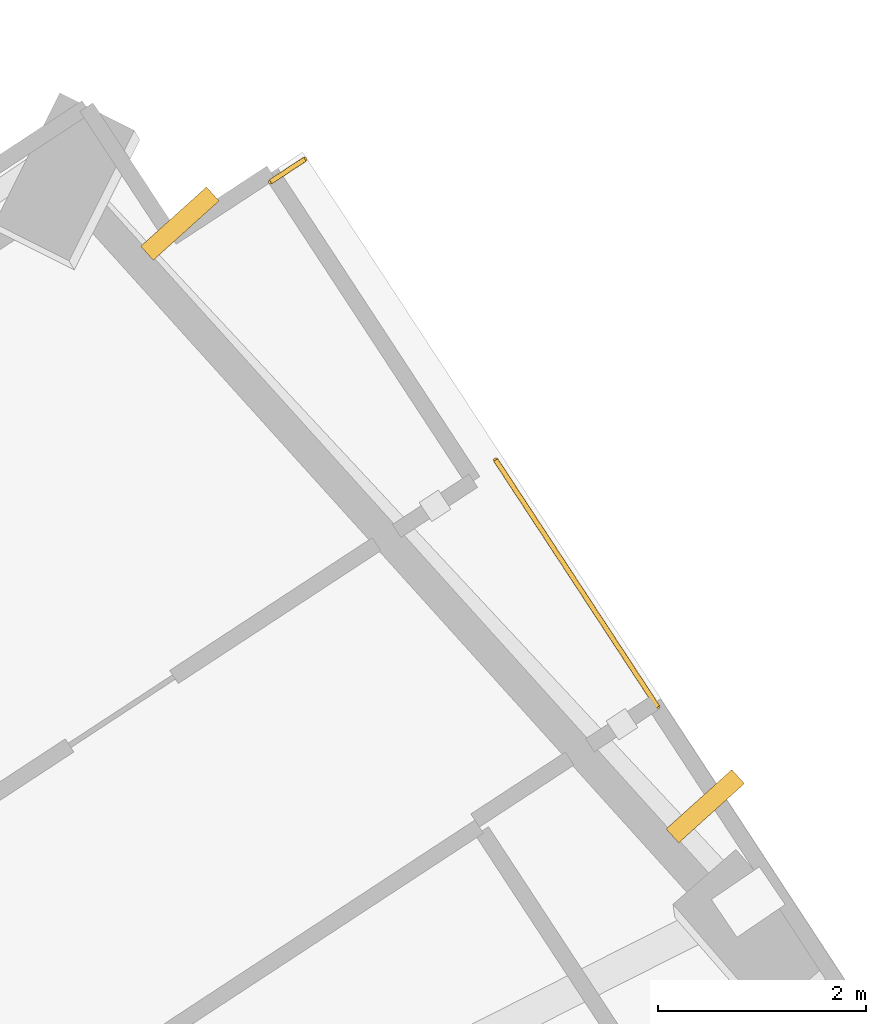
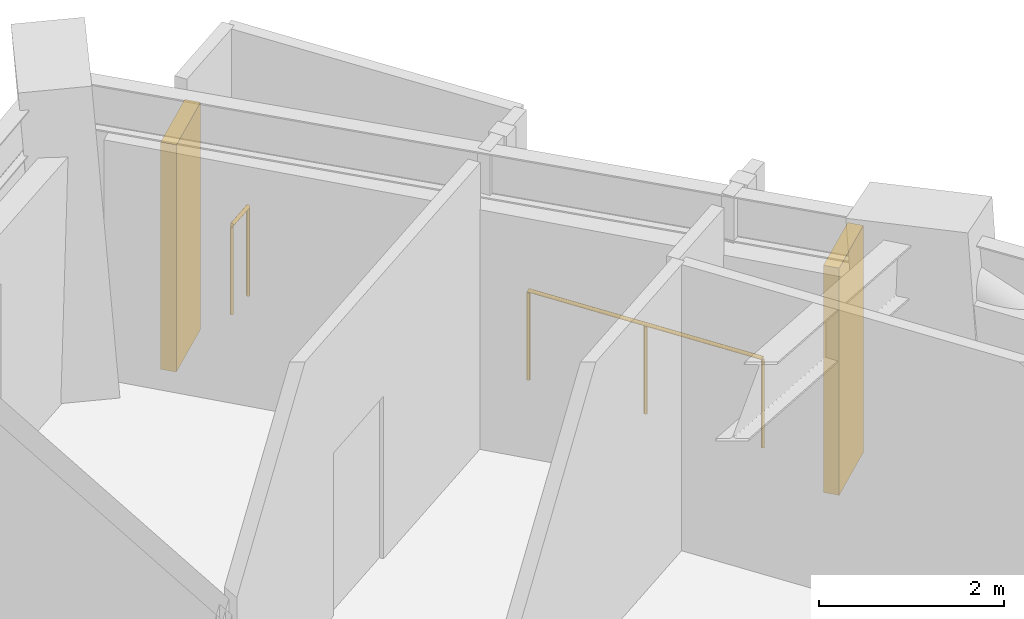
# One storey, part 14 of 14: 2 railings, 2 shading devices.
"""IFC4 building model written with IfcOpenShell, lengths in metres."""

from ifc_helpers import new_model, si_unit, direction, frame, origin, origin_2d, place, context, subcontext, project, spatial, rectangle, circle, extrude, material, layer, layer_set, type_object, element, save


model = new_model("IFC4")

# Units and contexts
model_context = context("Model", 3, precision=1e-05, world=origin(), true_north=direction((0.0, 1.0)))
body_context = subcontext(model_context, "Body", "Model", "MODEL_VIEW")
ifc_project = project(units=[si_unit("LENGTHUNIT", "METRE"), si_unit("AREAUNIT", "SQUARE_METRE"), si_unit("VOLUMEUNIT", "CUBIC_METRE"), si_unit("PLANEANGLEUNIT", "RADIAN"), si_unit("MASSUNIT", "GRAM", prefix="KILO")], contexts=[model_context])

# Site, building, storey
site_placement = place(None, origin())
site = spatial("IfcSite", under=ifc_project, at=site_placement, CompositionType="ELEMENT")
building_placement = place(site_placement, origin())
building = spatial("IfcBuilding", under=site, at=building_placement, Name="Gaonmaruhae Medical Tower", CompositionType="ELEMENT")
storey_placement = place(building_placement, frame((0.0, 0.0, 165.800048828125)))
storey = spatial("IfcBuildingStorey", under=building, at=storey_placement, Name="L39", CompositionType="ELEMENT", Elevation=165.800048828125)

# Railings
ifc_material_1 = material(Name="Stainless steel 316L and laminated safety glass", Category="steel")
ifc_layer = layer(ifc_material_1, 0.080078125)
ifc_layer_set = layer_set([ifc_layer], Name="Stainless steel 316L and laminated safety glass")
railing_type = type_object("IfcRailingType", Name="GD-120 Outdoor Terrace Safety Glass & Steel Balustrade", PredefinedType="BALUSTRADE", material=ifc_layer_set)
railing_1_placement = place(storey_placement, frame((53.95556640625, 35.311767578125, 0.0)))
element("IfcRailing", 1, at=railing_1_placement, inside=storey, type_object=railing_type, Name="L39 Perimeter Slab Edge Safety Balustrade 01", PredefinedType="BALUSTRADE", context=body_context, shape_type="SweptSolid", body=[
    extrude(circle(Radius=0.02392578125, at=origin_2d()), frame((0.0, 0.0, 1.17578125), z_axis=(0.836510171877, 0.54795139597, 0.0), x_axis=(-0.54795139597, 0.836510171877, 0.0)), (0.0, 0.0, 1.0), 0.393310546875),
    extrude(circle(Radius=0.02099609375, at=origin_2d()), origin(), (0.0, 0.0, 1.0), 1.15185546875),
    extrude(circle(Radius=0.02099609375, at=origin_2d()), frame((0.3291015625, 0.215576171875, 0.0)), (0.0, 0.0, 1.0), 1.15185546875),
])
railing_2_placement = place(storey_placement, frame((56.11865234375, 32.638671875, 0.0)))
element("IfcRailing", 2, at=railing_2_placement, inside=storey, type_object=railing_type, Name="L39 Perimeter Slab Edge Safety Balustrade 02", PredefinedType="BALUSTRADE", context=body_context, shape_type="SweptSolid", body=[
    extrude(circle(Radius=0.02392578125, at=origin_2d()), frame((0.0, 0.0, 1.17578125), z_axis=(0.548312590663, -0.836273461806, 0.0), x_axis=(0.836273461806, 0.548312590663, 0.0)), (0.0, 0.0, 1.0), 2.838623046875),
    extrude(circle(Radius=0.02099609375, at=origin_2d()), origin(), (0.0, 0.0, 1.0), 1.15185546875),
    extrude(circle(Radius=0.02099609375, at=origin_2d()), frame((0.7783203125, -1.18701171875, 0.0)), (0.0, 0.0, 1.0), 1.15185546875),
    extrude(circle(Radius=0.02099609375, at=origin_2d()), frame((1.556396484375, -2.373779296875, 0.0)), (0.0, 0.0, 1.0), 1.15185546875),
])

# Shading devices
ifc_material_2 = material(Name="Pigmented coral precast concrete C45/55", Category="concrete")
shading_device_type = type_object("IfcShadingDeviceType", Name="SD-FIN1 Tower Vertical Coral Precast Shading Fin", PredefinedType="USERDEFINED", material=ifc_material_2)
for number, where, z_axis, x_axis, name in (
    (3, (53.083984375, 34.90966796875, 0.08251953125), (0.0, 0.0, 1.0), (0.669649256215, -0.742677503127, 0.0), "L39 Vertical Coral Precast Shading Fin E02"),
    (4, (58.131591796875, 29.311767578125, 0.08251953125), (0.0, 0.0, 1.0), (0.669649256215, -0.742677503127, 0.0), "L39 Vertical Coral Precast Shading Fin E02B"),
):
    element("IfcShadingDevice", number, at=place(storey_placement, frame(where, z_axis=z_axis, x_axis=x_axis)), inside=storey, type_object=shading_device_type, Name=name, ObjectType="FIN", PredefinedType="USERDEFINED", context=body_context, shape_type="SweptSolid", body=[
        extrude(rectangle(XDim=0.179931640625, YDim=0.85009765625, at=origin_2d()), origin(), (0.0, 0.0, 1.0), 3.0),
    ])

save(model, "model.ifc")
